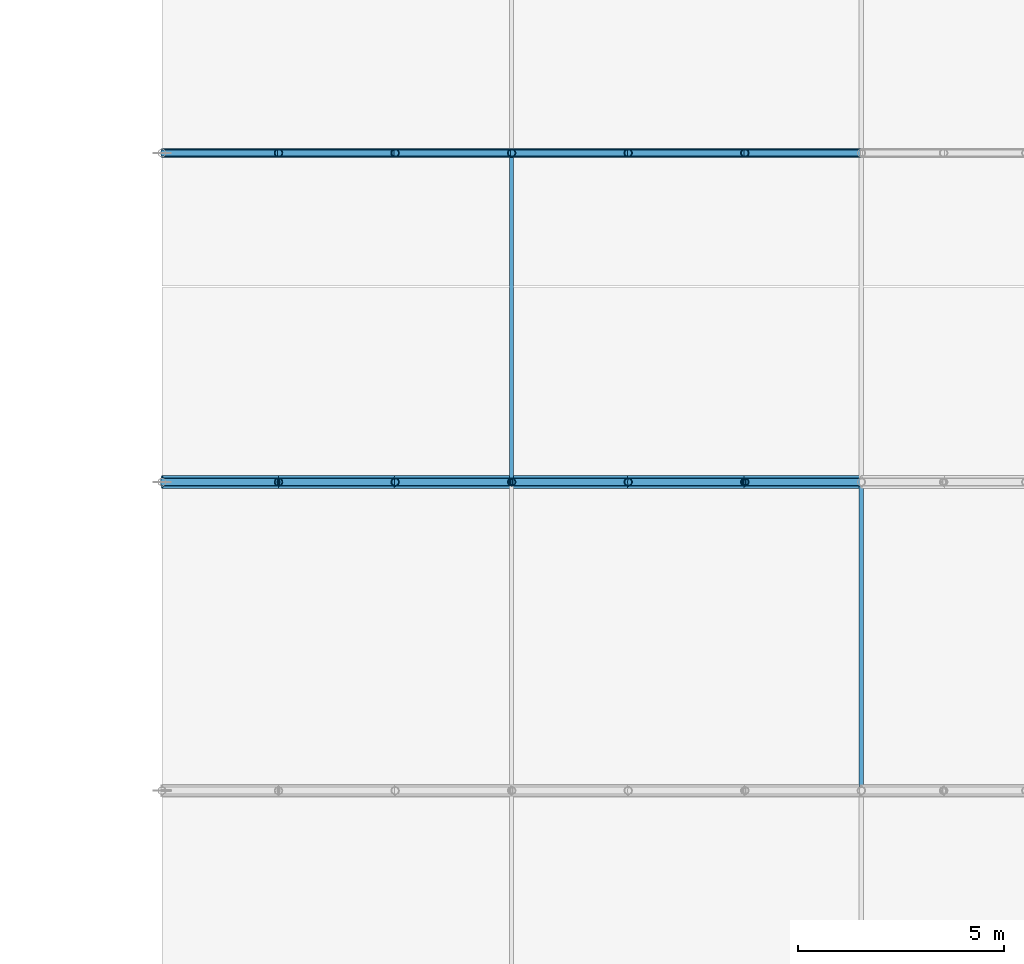
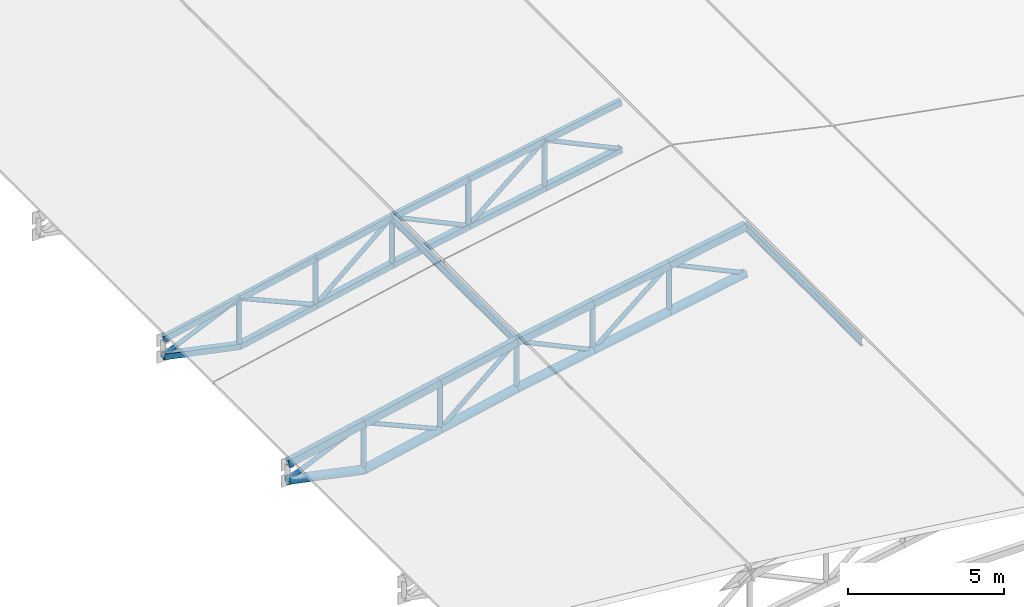
# One storey, part 7 of 28: 36 members, 12 beams.
"""IFC4 building model written with IfcOpenShell, lengths in metres."""

from ifc_helpers import new_model, si_unit, direction, frame, origin, origin_2d, place, context, subcontext, project, spatial, hollow_rectangle, hollow_circle, i_section, extrude, material, material_profile, profile_set, type_object, element, save


model = new_model("IFC4")

# Units and contexts
model_context = context("Model", 3, precision=1e-05, world=origin(), true_north=direction((0.0, 1.0)))
body_context = subcontext(model_context, "Body", "Model", "MODEL_VIEW")
ifc_project = project(units=[si_unit("LENGTHUNIT", "METRE"), si_unit("AREAUNIT", "SQUARE_METRE"), si_unit("VOLUMEUNIT", "CUBIC_METRE"), si_unit("PLANEANGLEUNIT", "RADIAN"), si_unit("MASSUNIT", "GRAM", prefix="KILO"), si_unit("THERMODYNAMICTEMPERATUREUNIT", "KELVIN"), si_unit("POWERUNIT", "WATT")], contexts=[model_context])

# Site, building, storey
site_placement = place(None, origin())
site = spatial("IfcSite", under=ifc_project, at=site_placement, CompositionType="ELEMENT")
building_placement = place(site_placement, origin())
building = spatial("IfcBuilding", under=site, at=building_placement, Name="Tepalcoro Natatorium and Aquatics Centre", CompositionType="ELEMENT")
storey_placement = place(building_placement, frame((0.0, 0.0, 23.199951171875)))
storey = spatial("IfcBuildingStorey", under=building, at=storey_placement, Name="RF", CompositionType="ELEMENT", Elevation=23.199951171875)

# Beams
ifc_material_1 = material(Name="Terracotta Painted Hollow Steel ASTM A500 Grade C (Fy 345 MPa)", Category="masonry")
ifc_material_profile_1 = material_profile(ifc_material_1, hollow_rectangle(XDim=0.14990234375, YDim=0.25, WallThickness=0.011962890625, at=origin_2d()), Name="HSS250X150X12")
ifc_profile_set_1 = profile_set([ifc_material_profile_1], Name="Terracotta Painted Hollow Steel ASTM A500 Grade C (Fy 345 MPa)")
beam_type_1 = type_object("IfcBeamType", Name="AC_HSS250x150x12", PredefinedType="USERDEFINED", material=ifc_profile_set_1)
beam_1_placement = place(storey_placement, frame((142.0, 36.0, -3.587890625), z_axis=(0.978074161878, 0.0, 0.208256893925), x_axis=(0.0, 1.0, 0.0)))
element("IfcBeam", 1, at=beam_1_placement, inside=storey, type_object=beam_type_1, Name="V2 Barrel-Arch Top Chord 5", ObjectType="ARCH CHORD", PredefinedType="USERDEFINED", context=body_context, shape_type="SweptSolid", body=[
    extrude(hollow_rectangle(XDim=0.14990234375, YDim=0.25, WallThickness=0.011962890625, at=origin_2d()), origin(), (0.0, 0.0, 1.0), 2.896728515625),
])
beam_2_placement = place(storey_placement, frame((144.833251953125, 36.0, -2.984619140625), z_axis=(0.978077816746, 0.0, 0.208239728173), x_axis=(0.0, 1.0, 0.0)))
element("IfcBeam", 2, at=beam_2_placement, inside=storey, type_object=beam_type_1, Name="V2 Barrel-Arch Top Chord 5", ObjectType="ARCH CHORD", PredefinedType="USERDEFINED", context=body_context, shape_type="SweptSolid", body=[
    extrude(hollow_rectangle(XDim=0.14990234375, YDim=0.25, WallThickness=0.011962890625, at=origin_2d()), origin(), (0.0, 0.0, 1.0), 2.89697265625),
])
beam_3_placement = place(storey_placement, frame((147.666748046875, 36.0, -2.38134765625), z_axis=(0.978056991721, 0.0, 0.208337516892), x_axis=(0.0, 1.0, 0.0)))
element("IfcBeam", 3, at=beam_3_placement, inside=storey, type_object=beam_type_1, Name="V2 Barrel-Arch Top Chord 5", ObjectType="ARCH CHORD", PredefinedType="USERDEFINED", context=body_context, shape_type="SweptSolid", body=[
    extrude(hollow_rectangle(XDim=0.14990234375, YDim=0.25, WallThickness=0.011962890625, at=origin_2d()), origin(), (0.0, 0.0, 1.0), 2.896728515625),
])
beam_4_placement = place(storey_placement, frame((150.5, 36.0, -1.77783203125), z_axis=(0.983780267563, 0.0, 0.179377772181), x_axis=(0.0, 1.0, 0.0)))
element("IfcBeam", 4, at=beam_4_placement, inside=storey, type_object=beam_type_1, Name="V2 Barrel-Arch Top Chord 5", ObjectType="ARCH CHORD", PredefinedType="USERDEFINED", context=body_context, shape_type="SweptSolid", body=[
    extrude(hollow_rectangle(XDim=0.14990234375, YDim=0.25, WallThickness=0.011962890625, at=origin_2d()), origin(), (0.0, 0.0, 1.0), 2.8798828125),
])
beam_5_placement = place(storey_placement, frame((153.333251953125, 36.0, -1.26123046875), z_axis=(0.983782994882, 0.0, 0.179362813818), x_axis=(0.0, 1.0, 0.0)))
element("IfcBeam", 5, at=beam_5_placement, inside=storey, type_object=beam_type_1, Name="V2 Barrel-Arch Top Chord 5", ObjectType="ARCH CHORD", PredefinedType="USERDEFINED", context=body_context, shape_type="SweptSolid", body=[
    extrude(hollow_rectangle(XDim=0.14990234375, YDim=0.25, WallThickness=0.011962890625, at=origin_2d()), origin(), (0.0, 0.0, 1.0), 2.880126953125),
])
beam_6_placement = place(storey_placement, frame((156.166748046875, 36.0, -0.74462890625), z_axis=(0.983780267563, 0.0, 0.179377772181), x_axis=(0.0, 1.0, 0.0)))
element("IfcBeam", 6, at=beam_6_placement, inside=storey, type_object=beam_type_1, Name="V2 Barrel-Arch Top Chord 5", ObjectType="ARCH CHORD", PredefinedType="USERDEFINED", context=body_context, shape_type="SweptSolid", body=[
    extrude(hollow_rectangle(XDim=0.14990234375, YDim=0.25, WallThickness=0.011962890625, at=origin_2d()), origin(), (0.0, 0.0, 1.0), 2.8798828125),
])
ifc_material_profile_2 = material_profile(ifc_material_1, hollow_rectangle(XDim=0.199951171875, YDim=0.300048828125, WallThickness=0.013916015625, at=origin_2d()), Name="HSS300X200X14")
ifc_profile_set_2 = profile_set([ifc_material_profile_2], Name="Terracotta Painted Hollow Steel ASTM A500 Grade C (Fy 345 MPa)")
beam_type_2 = type_object("IfcBeamType", Name="AC_HSS300x200x14", PredefinedType="USERDEFINED", material=ifc_profile_set_2)
beam_7_placement = place(storey_placement, frame((142.0, 28.0, -3.613037109375), z_axis=(0.978074161878, 0.0, 0.208256893925), x_axis=(0.0, 1.0, 0.0)))
element("IfcBeam", 7, at=beam_7_placement, inside=storey, type_object=beam_type_2, Name="V2 Barrel-Arch Top Chord 4", ObjectType="ARCH CHORD", PredefinedType="USERDEFINED", context=body_context, shape_type="SweptSolid", body=[
    extrude(hollow_rectangle(XDim=0.199951171875, YDim=0.300048828125, WallThickness=0.013916015625, at=origin_2d()), origin(), (0.0, 0.0, 1.0), 2.896728515625),
])
beam_8_placement = place(storey_placement, frame((144.833251953125, 28.0, -3.009765625), z_axis=(0.978060649356, 0.0, 0.208320345098), x_axis=(0.0, 1.0, 0.0)))
element("IfcBeam", 8, at=beam_8_placement, inside=storey, type_object=beam_type_2, Name="V2 Barrel-Arch Top Chord 4", ObjectType="ARCH CHORD", PredefinedType="USERDEFINED", context=body_context, shape_type="SweptSolid", body=[
    extrude(hollow_rectangle(XDim=0.199951171875, YDim=0.300048828125, WallThickness=0.013916015625, at=origin_2d()), origin(), (0.0, 0.0, 1.0), 2.89697265625),
])
beam_9_placement = place(storey_placement, frame((147.666748046875, 28.0, -2.40625), z_axis=(0.978074161878, 0.0, 0.208256893925), x_axis=(0.0, 1.0, 0.0)))
element("IfcBeam", 9, at=beam_9_placement, inside=storey, type_object=beam_type_2, Name="V2 Barrel-Arch Top Chord 4", ObjectType="ARCH CHORD", PredefinedType="USERDEFINED", context=body_context, shape_type="SweptSolid", body=[
    extrude(hollow_rectangle(XDim=0.199951171875, YDim=0.300048828125, WallThickness=0.013916015625, at=origin_2d()), origin(), (0.0, 0.0, 1.0), 2.896728515625),
])
for number, where, z_axis, x_axis, name in (
    (10, (150.5, 28.0, -1.802978515625), (0.98376530478, 0.0, 0.179459814754), (0.0, 1.0, 0.0), "V2 Barrel-Arch Top Chord 4"),
    (11, (153.333251953125, 28.0, -1.2861328125), (0.983782994882, 0.0, 0.179362813818), (0.0, 1.0, 0.0), "V2 Barrel-Arch Top Chord 4"),
):
    element("IfcBeam", number, at=place(storey_placement, frame(where, z_axis=z_axis, x_axis=x_axis)), inside=storey, type_object=beam_type_2, Name=name, ObjectType="ARCH CHORD", PredefinedType="USERDEFINED", context=body_context, shape_type="SweptSolid", body=[
        extrude(hollow_rectangle(XDim=0.199951171875, YDim=0.300048828125, WallThickness=0.013916015625, at=origin_2d()), origin(), (0.0, 0.0, 1.0), 2.880126953125),
    ])
beam_10_placement = place(storey_placement, frame((156.166748046875, 28.0, -0.76953125), z_axis=(0.983780267563, 0.0, 0.179377772181), x_axis=(0.0, 1.0, 0.0)))
element("IfcBeam", 12, at=beam_10_placement, inside=storey, type_object=beam_type_2, Name="V2 Barrel-Arch Top Chord 4", ObjectType="ARCH CHORD", PredefinedType="USERDEFINED", context=body_context, shape_type="SweptSolid", body=[
    extrude(hollow_rectangle(XDim=0.199951171875, YDim=0.300048828125, WallThickness=0.013916015625, at=origin_2d()), origin(), (0.0, 0.0, 1.0), 2.8798828125),
])

# Members
ifc_material_profile_3 = material_profile(ifc_material_1, hollow_circle(Radius=0.162109375, WallThickness=0.013916015625, at=origin_2d()), Name="CHS324X14")
ifc_profile_set_3 = profile_set([ifc_material_profile_3], Name="Terracotta Painted Hollow Steel ASTM A500 Grade C (Fy 345 MPa)")
member_type_1 = type_object("IfcMemberType", Name="MB_CH_CHS324x14", PredefinedType="CHORD", material=ifc_profile_set_3)
member_1_placement = place(storey_placement, frame((142.0, 28.0, -4.262939453125), z_axis=(0.978535468327, 0.0, -0.206078473468), x_axis=(0.0, 1.0, 0.0)))
element("IfcMember", 13, at=member_1_placement, inside=storey, type_object=member_type_1, Name="V2 Barrel-Arch Bottom Chord 4", PredefinedType="CHORD", context=body_context, shape_type="SweptSolid", body=[
    extrude(hollow_circle(Radius=0.162109375, WallThickness=0.013916015625, at=origin_2d()), origin(), (0.0, 0.0, 1.0), 2.8955078125),
])
member_2_placement = place(storey_placement, frame((144.833251953125, 28.0, -4.859619140625), z_axis=(0.978077816746, 0.0, 0.208239728173), x_axis=(0.0, 1.0, 0.0)))
element("IfcMember", 14, at=member_2_placement, inside=storey, type_object=member_type_1, Name="V2 Barrel-Arch Bottom Chord 4", PredefinedType="CHORD", context=body_context, shape_type="SweptSolid", body=[
    extrude(hollow_circle(Radius=0.162109375, WallThickness=0.013916015625, at=origin_2d()), origin(), (0.0, 0.0, 1.0), 2.89697265625),
])
member_3_placement = place(storey_placement, frame((147.666748046875, 28.0, -4.25634765625), z_axis=(0.978056991721, 0.0, 0.208337516892), x_axis=(0.0, 1.0, 0.0)))
element("IfcMember", 15, at=member_3_placement, inside=storey, type_object=member_type_1, Name="V2 Barrel-Arch Bottom Chord 4", PredefinedType="CHORD", context=body_context, shape_type="SweptSolid", body=[
    extrude(hollow_circle(Radius=0.162109375, WallThickness=0.013916015625, at=origin_2d()), origin(), (0.0, 0.0, 1.0), 2.896728515625),
])
member_4_placement = place(storey_placement, frame((150.5, 28.0, -3.65283203125), z_axis=(0.983780267563, 0.0, 0.179377772181), x_axis=(0.0, 1.0, 0.0)))
element("IfcMember", 16, at=member_4_placement, inside=storey, type_object=member_type_1, Name="V2 Barrel-Arch Bottom Chord 4", PredefinedType="CHORD", context=body_context, shape_type="SweptSolid", body=[
    extrude(hollow_circle(Radius=0.162109375, WallThickness=0.013916015625, at=origin_2d()), origin(), (0.0, 0.0, 1.0), 2.8798828125),
])
member_5_placement = place(storey_placement, frame((153.333251953125, 28.0, -3.13623046875), z_axis=(0.983782994882, 0.0, 0.179362813818), x_axis=(0.0, 1.0, 0.0)))
element("IfcMember", 17, at=member_5_placement, inside=storey, type_object=member_type_1, Name="V2 Barrel-Arch Bottom Chord 4", PredefinedType="CHORD", context=body_context, shape_type="SweptSolid", body=[
    extrude(hollow_circle(Radius=0.162109375, WallThickness=0.013916015625, at=origin_2d()), origin(), (0.0, 0.0, 1.0), 2.880126953125),
])
member_6_placement = place(storey_placement, frame((156.166748046875, 28.0, -2.61962890625), z_axis=(0.983780267563, 0.0, 0.179377772181), x_axis=(0.0, 1.0, 0.0)))
element("IfcMember", 18, at=member_6_placement, inside=storey, type_object=member_type_1, Name="V2 Barrel-Arch Bottom Chord 4", PredefinedType="CHORD", context=body_context, shape_type="SweptSolid", body=[
    extrude(hollow_circle(Radius=0.162109375, WallThickness=0.013916015625, at=origin_2d()), origin(), (0.0, 0.0, 1.0), 2.8798828125),
])
ifc_material_profile_4 = material_profile(ifc_material_1, hollow_rectangle(XDim=0.219970703125, YDim=0.219970703125, WallThickness=0.011962890625, at=origin_2d()), Name="HSS220X220X12")
ifc_profile_set_4 = profile_set([ifc_material_profile_4], Name="Terracotta Painted Hollow Steel ASTM A500 Grade C (Fy 345 MPa)")
member_type_2 = type_object("IfcMemberType", Name="MB_CH_HSS220x220x12", PredefinedType="CHORD", material=ifc_profile_set_4)
member_7_placement = place(storey_placement, frame((142.0, 36.0, -4.238037109375), z_axis=(0.978535468327, 0.0, -0.206078473468), x_axis=(0.0, 1.0, 0.0)))
element("IfcMember", 19, at=member_7_placement, inside=storey, type_object=member_type_2, Name="V2 Barrel-Arch Bottom Chord 5", PredefinedType="CHORD", context=body_context, shape_type="SweptSolid", body=[
    extrude(hollow_rectangle(XDim=0.219970703125, YDim=0.219970703125, WallThickness=0.011962890625, at=origin_2d()), origin(), (0.0, 0.0, 1.0), 2.8955078125),
])
member_8_placement = place(storey_placement, frame((144.833251953125, 36.0, -4.834716796875), z_axis=(0.978060649356, 0.0, 0.208320345098), x_axis=(0.0, 1.0, 0.0)))
element("IfcMember", 20, at=member_8_placement, inside=storey, type_object=member_type_2, Name="V2 Barrel-Arch Bottom Chord 5", PredefinedType="CHORD", context=body_context, shape_type="SweptSolid", body=[
    extrude(hollow_rectangle(XDim=0.219970703125, YDim=0.219970703125, WallThickness=0.011962890625, at=origin_2d()), origin(), (0.0, 0.0, 1.0), 2.89697265625),
])
member_9_placement = place(storey_placement, frame((147.666748046875, 36.0, -4.231201171875), z_axis=(0.978074161878, 0.0, 0.208256893925), x_axis=(0.0, 1.0, 0.0)))
element("IfcMember", 21, at=member_9_placement, inside=storey, type_object=member_type_2, Name="V2 Barrel-Arch Bottom Chord 5", PredefinedType="CHORD", context=body_context, shape_type="SweptSolid", body=[
    extrude(hollow_rectangle(XDim=0.219970703125, YDim=0.219970703125, WallThickness=0.011962890625, at=origin_2d()), origin(), (0.0, 0.0, 1.0), 2.896728515625),
])
member_10_placement = place(storey_placement, frame((150.5, 36.0, -3.6279296875), z_axis=(0.983780267563, 0.0, 0.179377772181), x_axis=(0.0, 1.0, 0.0)))
element("IfcMember", 22, at=member_10_placement, inside=storey, type_object=member_type_2, Name="V2 Barrel-Arch Bottom Chord 5", PredefinedType="CHORD", context=body_context, shape_type="SweptSolid", body=[
    extrude(hollow_rectangle(XDim=0.219970703125, YDim=0.219970703125, WallThickness=0.011962890625, at=origin_2d()), origin(), (0.0, 0.0, 1.0), 2.8798828125),
])
for number, where, z_axis, x_axis, name in (
    (23, (153.333251953125, 36.0, -3.111328125), (0.983782994882, 0.0, 0.179362813818), (0.0, 1.0, 0.0), "V2 Barrel-Arch Bottom Chord 5"),
    (24, (156.166748046875, 36.0, -2.5947265625), (0.98376530478, 0.0, 0.179459814754), (0.0, 1.0, 0.0), "V2 Barrel-Arch Bottom Chord 5"),
):
    element("IfcMember", number, at=place(storey_placement, frame(where, z_axis=z_axis, x_axis=x_axis)), inside=storey, type_object=member_type_2, Name=name, PredefinedType="CHORD", context=body_context, shape_type="SweptSolid", body=[
        extrude(hollow_rectangle(XDim=0.219970703125, YDim=0.219970703125, WallThickness=0.011962890625, at=origin_2d()), origin(), (0.0, 0.0, 1.0), 2.880126953125),
    ])
ifc_material_2 = material(Name="Steel ASTM A992 Grade 50 (Fy 345 MPa)", Category="steel")
ifc_material_profile_5 = material_profile(ifc_material_2, i_section(OverallWidth=0.10205078125, OverallDepth=0.31201171875, WebThickness=0.007080078125, FlangeThickness=0.010986328125, FilletRadius=0.013916015625, at=origin_2d()), Name="W12X22")
ifc_profile_set_5 = profile_set([ifc_material_profile_5], Name="Steel ASTM A992 Grade 50 (Fy 345 MPa)")
member_type_3 = type_object("IfcMemberType", Name="MB_PR_W12x22", PredefinedType="PURLIN", material=ifc_profile_set_5)
member_11_placement = place(storey_placement, frame((159.0, 20.5, -0.259033203125), z_axis=(0.0, 1.0, 0.0), x_axis=(-1.0, 0.0, 0.0)))
element("IfcMember", 25, at=member_11_placement, inside=storey, type_object=member_type_3, Name="V2 Barrel-Arch Roof Purlin", PredefinedType="PURLIN", context=body_context, shape_type="SweptSolid", body=[
    extrude(i_section(OverallWidth=0.10205078125, OverallDepth=0.31201171875, WebThickness=0.007080078125, FlangeThickness=0.010986328125, FilletRadius=0.013916015625, at=origin_2d()), origin(), (0.0, 0.0, 1.0), 7.5),
])
member_12_placement = place(storey_placement, frame((150.5, 28.0, -1.808837890625), z_axis=(0.0, 1.0, 0.0), x_axis=(-1.0, 0.0, 0.0)))
element("IfcMember", 26, at=member_12_placement, inside=storey, type_object=member_type_3, Name="V2 Barrel-Arch Roof Purlin", PredefinedType="PURLIN", context=body_context, shape_type="SweptSolid", body=[
    extrude(i_section(OverallWidth=0.10205078125, OverallDepth=0.31201171875, WebThickness=0.007080078125, FlangeThickness=0.010986328125, FilletRadius=0.013916015625, at=origin_2d()), origin(), (0.0, 0.0, 1.0), 8.0),
])
ifc_material_profile_6 = material_profile(ifc_material_1, hollow_circle(Radius=0.096923828125, WallThickness=0.010009765625, at=origin_2d()), Name="CHS194X10")
ifc_profile_set_6 = profile_set([ifc_material_profile_6], Name="Terracotta Painted Hollow Steel ASTM A500 Grade C (Fy 345 MPa)")
member_type_4 = type_object("IfcMemberType", Name="MB_PS_CHS194x10", PredefinedType="POST", material=ifc_profile_set_6)
member_13_placement = place(storey_placement, frame((144.833251953125, 28.0, -4.859619140625), z_axis=(0.0, 0.0, 1.0), x_axis=(1.0, 0.0, 0.0)))
element("IfcMember", 27, at=member_13_placement, inside=storey, type_object=member_type_4, Name="V2 Barrel-Arch Post 4", PredefinedType="POST", context=body_context, shape_type="SweptSolid", body=[
    extrude(hollow_circle(Radius=0.096923828125, WallThickness=0.010009765625, at=origin_2d()), origin(), (0.0, 0.0, 1.0), 1.849853515625),
])
member_14_placement = place(storey_placement, frame((147.666748046875, 28.0, -4.25634765625), z_axis=(0.0, 0.0, 1.0), x_axis=(1.0, 0.0, 0.0)))
element("IfcMember", 28, at=member_14_placement, inside=storey, type_object=member_type_4, Name="V2 Barrel-Arch Post 4", PredefinedType="POST", context=body_context, shape_type="SweptSolid", body=[
    extrude(hollow_circle(Radius=0.096923828125, WallThickness=0.010009765625, at=origin_2d()), origin(), (0.0, 0.0, 1.0), 1.85009765625),
])
member_15_placement = place(storey_placement, frame((150.5, 28.0, -3.65283203125), z_axis=(0.0, 0.0, 1.0), x_axis=(1.0, 0.0, 0.0)))
element("IfcMember", 29, at=member_15_placement, inside=storey, type_object=member_type_4, Name="V2 Barrel-Arch Post 4", PredefinedType="POST", context=body_context, shape_type="SweptSolid", body=[
    extrude(hollow_circle(Radius=0.096923828125, WallThickness=0.010009765625, at=origin_2d()), origin(), (0.0, 0.0, 1.0), 1.849853515625),
])
for number, where, z_axis, x_axis, name in (
    (30, (153.333251953125, 28.0, -3.13623046875), (0.0, 0.0, 1.0), (1.0, 0.0, 0.0), "V2 Barrel-Arch Post 4"),
    (31, (156.166748046875, 28.0, -2.61962890625), (0.0, 0.0, 1.0), (1.0, 0.0, 0.0), "V2 Barrel-Arch Post 4"),
    (32, (144.833251953125, 36.0, -4.834716796875), (0.0, 0.0, 1.0), (1.0, 0.0, 0.0), "V2 Barrel-Arch Post 5"),
):
    element("IfcMember", number, at=place(storey_placement, frame(where, z_axis=z_axis, x_axis=x_axis)), inside=storey, type_object=member_type_4, Name=name, PredefinedType="POST", context=body_context, shape_type="SweptSolid", body=[
        extrude(hollow_circle(Radius=0.096923828125, WallThickness=0.010009765625, at=origin_2d()), origin(), (0.0, 0.0, 1.0), 1.85009765625),
    ])
member_16_placement = place(storey_placement, frame((147.666748046875, 36.0, -4.231201171875), z_axis=(0.0, 0.0, 1.0), x_axis=(1.0, 0.0, 0.0)))
element("IfcMember", 33, at=member_16_placement, inside=storey, type_object=member_type_4, Name="V2 Barrel-Arch Post 5", PredefinedType="POST", context=body_context, shape_type="SweptSolid", body=[
    extrude(hollow_circle(Radius=0.096923828125, WallThickness=0.010009765625, at=origin_2d()), origin(), (0.0, 0.0, 1.0), 1.849853515625),
])
for number, where, z_axis, x_axis, name in (
    (34, (150.5, 36.0, -3.6279296875), (0.0, 0.0, 1.0), (1.0, 0.0, 0.0), "V2 Barrel-Arch Post 5"),
    (35, (153.333251953125, 36.0, -3.111328125), (0.0, 0.0, 1.0), (1.0, 0.0, 0.0), "V2 Barrel-Arch Post 5"),
    (36, (156.166748046875, 36.0, -2.5947265625), (0.0, 0.0, 1.0), (1.0, 0.0, 0.0), "V2 Barrel-Arch Post 5"),
):
    element("IfcMember", number, at=place(storey_placement, frame(where, z_axis=z_axis, x_axis=x_axis)), inside=storey, type_object=member_type_4, Name=name, PredefinedType="POST", context=body_context, shape_type="SweptSolid", body=[
        extrude(hollow_circle(Radius=0.096923828125, WallThickness=0.010009765625, at=origin_2d()), origin(), (0.0, 0.0, 1.0), 1.85009765625),
    ])
ifc_material_profile_7 = material_profile(ifc_material_1, hollow_circle(Radius=0.083984375, WallThickness=0.011962890625, at=origin_2d()), Name="CHS168X12")
ifc_profile_set_7 = profile_set([ifc_material_profile_7], Name="Terracotta Painted Hollow Steel ASTM A500 Grade C (Fy 345 MPa)")
member_type_5 = type_object("IfcMemberType", Name="MB_ST_CHS168x12", PredefinedType="STRUT", material=ifc_profile_set_7)
member_17_placement = place(storey_placement, frame((142.0, 28.0, -4.262939453125), z_axis=(0.914534777126, 0.0, 0.404507282291), x_axis=(0.0, 1.0, 0.0)))
element("IfcMember", 37, at=member_17_placement, inside=storey, type_object=member_type_5, Name="V2 Barrel-Arch Web Diagonal 4", PredefinedType="STRUT", context=body_context, shape_type="SweptSolid", body=[
    extrude(hollow_circle(Radius=0.083984375, WallThickness=0.011962890625, at=origin_2d()), origin(), (0.0, 0.0, 1.0), 3.09814453125),
])
member_18_placement = place(storey_placement, frame((144.833251953125, 28.0, -3.009765625), z_axis=(0.915333638203, 0.0, -0.402696325751), x_axis=(0.0, 1.0, 0.0)))
element("IfcMember", 38, at=member_18_placement, inside=storey, type_object=member_type_5, Name="V2 Barrel-Arch Web Diagonal 4", PredefinedType="STRUT", context=body_context, shape_type="SweptSolid", body=[
    extrude(hollow_circle(Radius=0.083984375, WallThickness=0.011962890625, at=origin_2d()), origin(), (0.0, 0.0, 1.0), 3.095703125),
])
member_19_placement = place(storey_placement, frame((147.666748046875, 28.0, -4.25634765625), z_axis=(0.755968428553, 0.0, 0.654608077426), x_axis=(0.0, 1.0, 0.0)))
element("IfcMember", 39, at=member_19_placement, inside=storey, type_object=member_type_5, Name="V2 Barrel-Arch Web Diagonal 4", PredefinedType="STRUT", context=body_context, shape_type="SweptSolid", body=[
    extrude(hollow_circle(Radius=0.083984375, WallThickness=0.011962890625, at=origin_2d()), origin(), (0.0, 0.0, 1.0), 3.747802734375),
])
member_20_placement = place(storey_placement, frame((150.5, 28.0, -1.802978515625), z_axis=(0.904824003103, 0.0, -0.425785771732), x_axis=(0.0, 1.0, 0.0)))
element("IfcMember", 40, at=member_20_placement, inside=storey, type_object=member_type_5, Name="V2 Barrel-Arch Web Diagonal 4", PredefinedType="STRUT", context=body_context, shape_type="SweptSolid", body=[
    extrude(hollow_circle(Radius=0.083984375, WallThickness=0.011962890625, at=origin_2d()), origin(), (0.0, 0.0, 1.0), 3.13134765625),
])
member_21_placement = place(storey_placement, frame((153.333251953125, 28.0, -3.13623046875), z_axis=(0.767494449024, 0.0, 0.641055590973), x_axis=(0.0, 1.0, 0.0)))
element("IfcMember", 41, at=member_21_placement, inside=storey, type_object=member_type_5, Name="V2 Barrel-Arch Web Diagonal 4", PredefinedType="STRUT", context=body_context, shape_type="SweptSolid", body=[
    extrude(hollow_circle(Radius=0.083984375, WallThickness=0.011962890625, at=origin_2d()), origin(), (0.0, 0.0, 1.0), 3.69189453125),
])
member_22_placement = place(storey_placement, frame((156.166748046875, 28.0, -0.76953125), z_axis=(0.904793963626, 0.0, -0.425849601838), x_axis=(0.0, 1.0, 0.0)))
element("IfcMember", 42, at=member_22_placement, inside=storey, type_object=member_type_5, Name="V2 Barrel-Arch Web Diagonal 4", PredefinedType="STRUT", context=body_context, shape_type="SweptSolid", body=[
    extrude(hollow_circle(Radius=0.083984375, WallThickness=0.011962890625, at=origin_2d()), origin(), (0.0, 0.0, 1.0), 3.13134765625),
])
member_23_placement = place(storey_placement, frame((142.0, 36.0, -4.238037109375), z_axis=(0.914505622788, 0.0, 0.40457318978), x_axis=(0.0, 1.0, 0.0)))
element("IfcMember", 43, at=member_23_placement, inside=storey, type_object=member_type_5, Name="V2 Barrel-Arch Web Diagonal 5", PredefinedType="STRUT", context=body_context, shape_type="SweptSolid", body=[
    extrude(hollow_circle(Radius=0.083984375, WallThickness=0.011962890625, at=origin_2d()), origin(), (0.0, 0.0, 1.0), 3.09814453125),
])
member_24_placement = place(storey_placement, frame((144.833251953125, 36.0, -2.984619140625), z_axis=(0.915333638203, 0.0, -0.402696325751), x_axis=(0.0, 1.0, 0.0)))
element("IfcMember", 44, at=member_24_placement, inside=storey, type_object=member_type_5, Name="V2 Barrel-Arch Web Diagonal 5", PredefinedType="STRUT", context=body_context, shape_type="SweptSolid", body=[
    extrude(hollow_circle(Radius=0.083984375, WallThickness=0.011962890625, at=origin_2d()), origin(), (0.0, 0.0, 1.0), 3.095703125),
])
member_25_placement = place(storey_placement, frame((147.666748046875, 36.0, -4.231201171875), z_axis=(0.755968428553, 0.0, 0.654608077426), x_axis=(0.0, 1.0, 0.0)))
element("IfcMember", 45, at=member_25_placement, inside=storey, type_object=member_type_5, Name="V2 Barrel-Arch Web Diagonal 5", PredefinedType="STRUT", context=body_context, shape_type="SweptSolid", body=[
    extrude(hollow_circle(Radius=0.083984375, WallThickness=0.011962890625, at=origin_2d()), origin(), (0.0, 0.0, 1.0), 3.747802734375),
])
member_26_placement = place(storey_placement, frame((150.5, 36.0, -1.77783203125), z_axis=(0.904793963626, 0.0, -0.425849601838), x_axis=(0.0, 1.0, 0.0)))
element("IfcMember", 46, at=member_26_placement, inside=storey, type_object=member_type_5, Name="V2 Barrel-Arch Web Diagonal 5", PredefinedType="STRUT", context=body_context, shape_type="SweptSolid", body=[
    extrude(hollow_circle(Radius=0.083984375, WallThickness=0.011962890625, at=origin_2d()), origin(), (0.0, 0.0, 1.0), 3.13134765625),
])
member_27_placement = place(storey_placement, frame((153.333251953125, 36.0, -3.111328125), z_axis=(0.767494449024, 0.0, 0.641055590973), x_axis=(0.0, 1.0, 0.0)))
element("IfcMember", 47, at=member_27_placement, inside=storey, type_object=member_type_5, Name="V2 Barrel-Arch Web Diagonal 5", PredefinedType="STRUT", context=body_context, shape_type="SweptSolid", body=[
    extrude(hollow_circle(Radius=0.083984375, WallThickness=0.011962890625, at=origin_2d()), origin(), (0.0, 0.0, 1.0), 3.69189453125),
])
member_28_placement = place(storey_placement, frame((156.166748046875, 36.0, -0.74462890625), z_axis=(0.904824003103, 0.0, -0.425785771732), x_axis=(0.0, 1.0, 0.0)))
element("IfcMember", 48, at=member_28_placement, inside=storey, type_object=member_type_5, Name="V2 Barrel-Arch Web Diagonal 5", PredefinedType="STRUT", context=body_context, shape_type="SweptSolid", body=[
    extrude(hollow_circle(Radius=0.083984375, WallThickness=0.011962890625, at=origin_2d()), origin(), (0.0, 0.0, 1.0), 3.13134765625),
])

save(model, "model.ifc")
